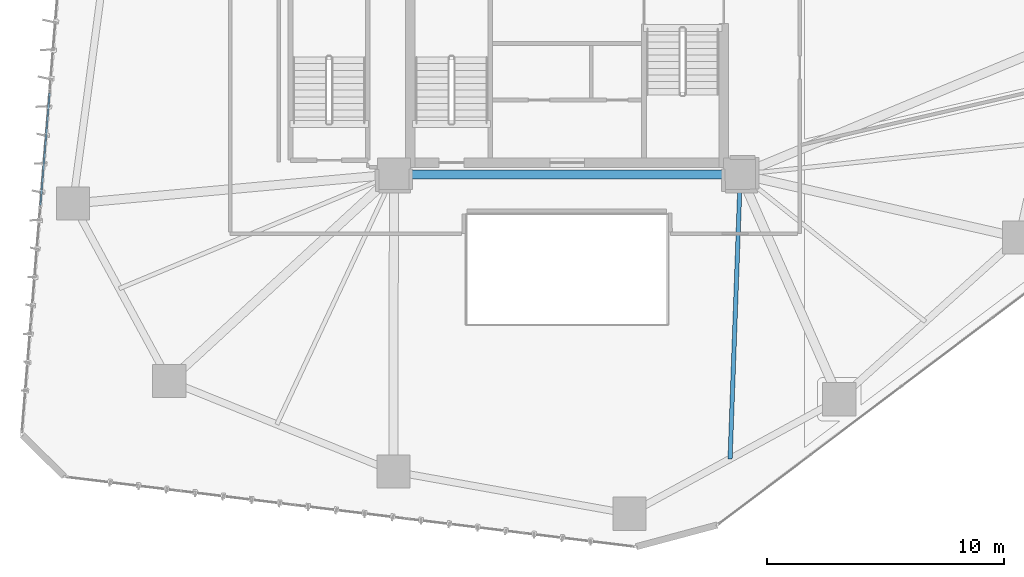
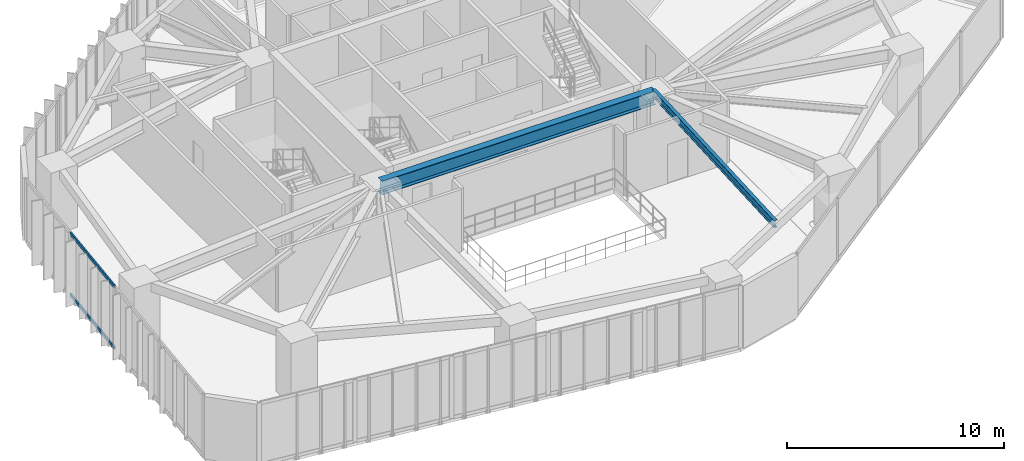
# One storey, part 5 of 23: 2 beams, 2 members, 1 element without a shape of its own.
"""IFC4 building model written with IfcOpenShell, lengths in metres."""

from ifc_helpers import new_model, si_unit, direction, frame, origin, origin_2d, place, context, subcontext, project, spatial, hollow_rectangle, i_section, extrude, source, transform, mapped, material, layer, layer_set, material_profile, profile_set, type_object, type_shapes, element, aggregate, save


model = new_model("IFC4")

# Units and contexts
model_context = context("Model", 3, precision=1e-05, world=origin(), true_north=direction((0.0, 1.0)))
body_context = subcontext(model_context, "Body", "Model", "MODEL_VIEW")
ifc_project = project(units=[si_unit("LENGTHUNIT", "METRE"), si_unit("AREAUNIT", "SQUARE_METRE"), si_unit("VOLUMEUNIT", "CUBIC_METRE"), si_unit("PLANEANGLEUNIT", "RADIAN"), si_unit("MASSUNIT", "GRAM", prefix="KILO")], contexts=[model_context])

# Site, building, storey
site_placement = place(None, origin())
site = spatial("IfcSite", under=ifc_project, at=site_placement, CompositionType="ELEMENT")
building_placement = place(site_placement, origin())
building = spatial("IfcBuilding", under=site, at=building_placement, Name="Talar Marvaseh", CompositionType="ELEMENT")
storey_placement = place(building_placement, frame((0.0, 0.0, 69.60009765625)))
storey = spatial("IfcBuildingStorey", under=building, at=storey_placement, Name="L17", CompositionType="ELEMENT", Elevation=69.60009765625)

# Beams
ifc_material_1 = material(Name="Steel S355", Category="steel")
ifc_material_profile_1 = material_profile(ifc_material_1, i_section(OverallWidth=0.381103515625, OverallDepth=0.77294921875, WebThickness=0.0166015625, FlangeThickness=0.027099609375, at=origin_2d()), Name="W760x257")
ifc_profile_set_1 = profile_set([ifc_material_profile_1], Name="Steel S355")
beam_type_1 = type_object("IfcBeamType", Name="Zone 1 Radial Floor Girder W760x257", PredefinedType="BEAM", material=ifc_profile_set_1)
beam_1_placement = place(storey_placement, frame((18.699951171875, 25.5, 3.13330078125), z_axis=(1.0, 0.0, 0.0), x_axis=(0.0, 1.0, 0.0)))
element("IfcBeam", 1, at=beam_1_placement, inside=storey, type_object=beam_type_1, Name="L17 Zone 1 Radial Floor Girder W760x257", PredefinedType="BEAM", context=body_context, shape_type="SweptSolid", body=[
    extrude(i_section(OverallWidth=0.381103515625, OverallDepth=0.77294921875, WebThickness=0.0166015625, FlangeThickness=0.027099609375, at=origin_2d()), origin(), (0.0, 0.0, 1.0), 14.60009765625),
])
ifc_material_profile_2 = material_profile(ifc_material_1, i_section(OverallWidth=0.179931640625, OverallDepth=0.4130859375, WebThickness=0.009765625, FlangeThickness=0.01611328125, at=origin_2d()), Name="W410x75")
ifc_profile_set_2 = profile_set([ifc_material_profile_2], Name="Steel S355")
beam_type_2 = type_object("IfcBeamType", Name="Zone 1 Secondary Floor Joist W410x75", PredefinedType="JOIST", material=ifc_profile_set_2)
beam_2_placement = place(storey_placement, frame((32.86962890625, 13.511474609375, 3.3134765625), z_axis=(0.035879540639, 0.999356121992, 0.0), x_axis=(-0.999356121992, 0.035879540639, 0.0)))
element("IfcBeam", 2, at=beam_2_placement, inside=storey, type_object=beam_type_2, Name="L17 Zone 1 Secondary Floor Joist W410x75", PredefinedType="JOIST", context=body_context, shape_type="SweptSolid", body=[
    extrude(i_section(OverallWidth=0.179931640625, OverallDepth=0.4130859375, WebThickness=0.009765625, FlangeThickness=0.01611328125, at=origin_2d()), origin(), (0.0, 0.0, 1.0), 11.996337890625),
])

# Curtain wall, members
ifc_material_2 = material(Name="Architectural Aluminium", Category="aluminium")
ifc_layer = layer(ifc_material_2, 0.219970703125)
ifc_layer_set = layer_set([ifc_layer], Name="Architectural Aluminium")
curtain_wall_type = type_object("IfcCurtainWallType", Name="Unitised Low-E Museum Curtain Wall Z1", PredefinedType="NOTDEFINED", material=ifc_layer_set)
curtain_wall_placement = place(storey_placement, origin())
curtain_wall = element("IfcCurtainWall", 3, at=curtain_wall_placement, inside=storey, type_object=curtain_wall_type, Name="L17 Unitised Low-E Museum Curtain Wall Z1", PredefinedType="NOTDEFINED")
ifc_material_profile_3 = material_profile(ifc_material_2, hollow_rectangle(XDim=0.074951171875, YDim=0.179931640625, WallThickness=0.0048828125, at=origin_2d()), Name="RHS180x75x5")
ifc_profile_set_3 = profile_set([ifc_material_profile_3], Name="Architectural Aluminium")
member_type = type_object("IfcMemberType", Name="Unitised Curtain Wall Transom RHS180x75x5", PredefinedType="USERDEFINED", material=ifc_profile_set_3)
shared_shape = source(origin(), body_context, "Body", "SweptSolid", [
    extrude(hollow_rectangle(XDim=0.074951171875, YDim=0.179931640625, WallThickness=0.0048828125, at=origin_2d()), origin(), (0.0, 0.0, 1.0), 4.736572265625),
])
type_shapes(member_type, [shared_shape])
member_1_placement = place(storey_placement, frame((3.804443359375, 24.200927734375, 0.037353515625), z_axis=(0.081181232183, 0.996699356647, 0.0), x_axis=(-0.996699356647, 0.081181232183, 0.0)))
member_1 = element("IfcMember", 4, at=member_1_placement, type_object=member_type, Name="CW-Z1 transom 3.1", ObjectType="TRANSOM", PredefinedType="USERDEFINED", context=body_context, shape_type="MappedRepresentation", body=[
    mapped(shared_shape, transform((0.0, 0.0, 0.0), x_axis=(1.0, 0.0, 0.0), y_axis=(0.0, 1.0, 0.0), z_axis=(0.0, 0.0, 1.0), scale=1.0)),
])
member_2_placement = place(storey_placement, frame((3.804443359375, 24.200927734375, 3.482421875), z_axis=(0.081181232183, 0.996699356647, 0.0), x_axis=(-0.996699356647, 0.081181232183, 0.0)))
member_2 = element("IfcMember", 5, at=member_2_placement, type_object=member_type, Name="CW-Z1 transom 3.2", ObjectType="TRANSOM", PredefinedType="USERDEFINED", context=body_context, shape_type="MappedRepresentation", body=[
    mapped(shared_shape, transform((0.0, 0.0, 0.0), x_axis=(1.0, 0.0, 0.0), y_axis=(0.0, 1.0, 0.0), z_axis=(0.0, 0.0, 1.0), scale=1.0)),
])
aggregate(curtain_wall, [member_1, member_2])

save(model, "model.ifc")
